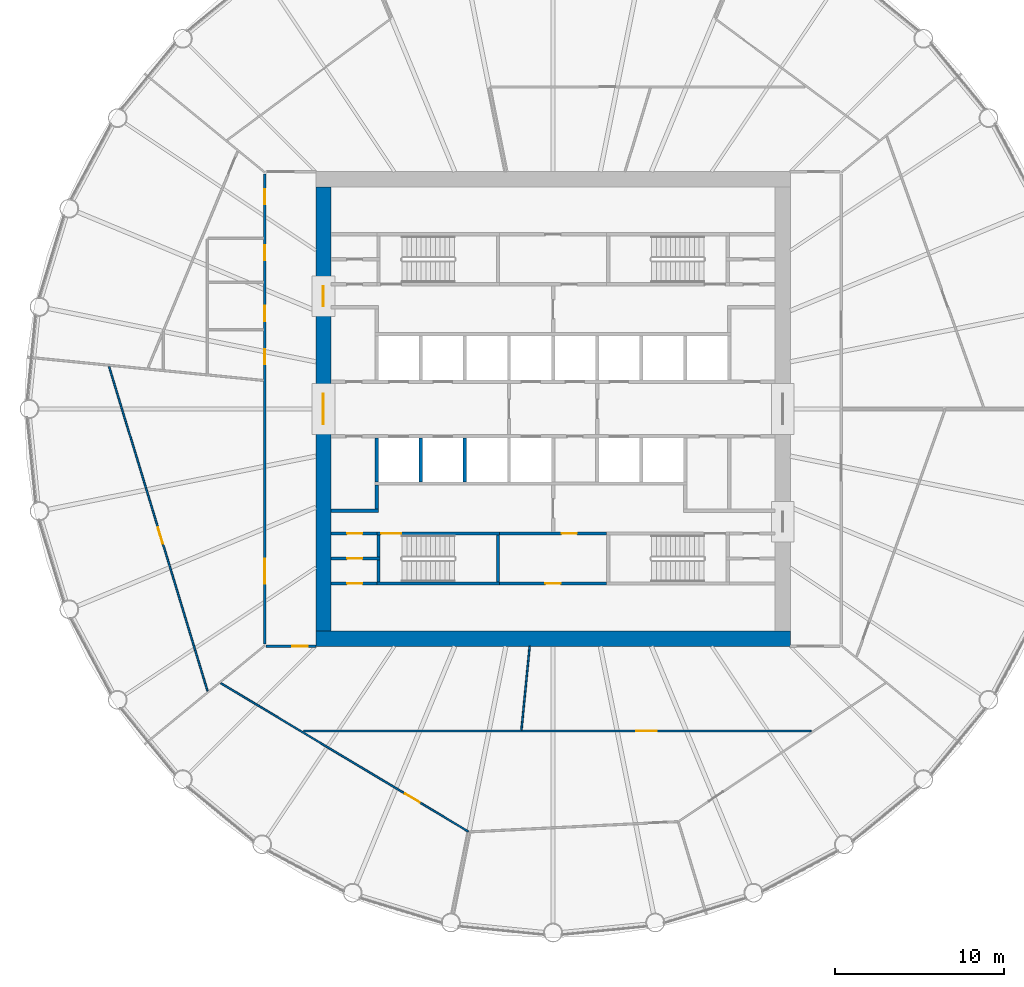
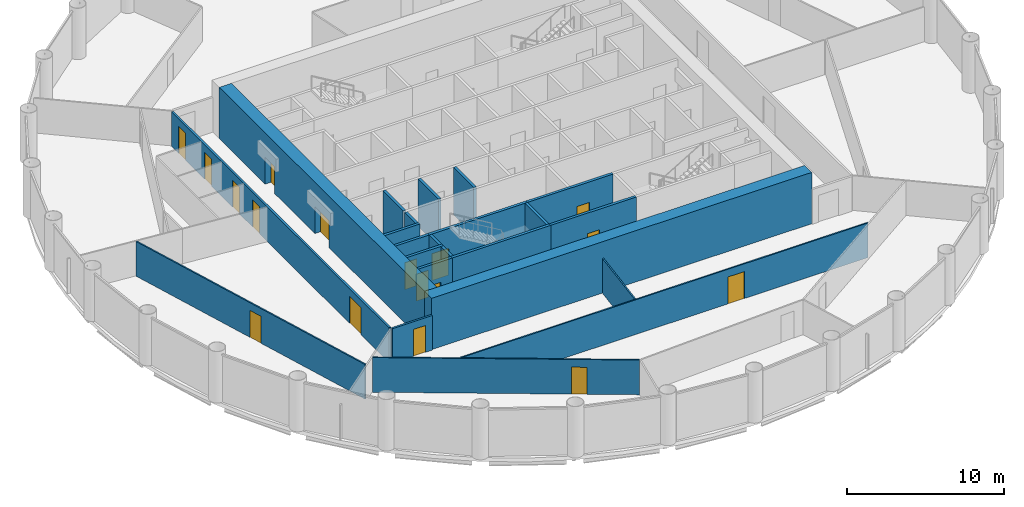
# One storey, part 4 of 9: 23 walls, 17 doors, 17 openings.
"""IFC4 building model written with IfcOpenShell, lengths in metres."""

from ifc_helpers import new_model, si_unit, direction, frame, frame_2d, origin, place, context, subcontext, project, spatial, polyline, rectangle, outline, extrude, material, layer, layer_set, type_object, element, fill, save


model = new_model("IFC4")

# Units and contexts
model_context = context("Model", 3, precision=1e-05, world=origin(), true_north=direction((0.0, 1.0)))
body_context = subcontext(model_context, "Body", "Model", "MODEL_VIEW")
ifc_project = project(units=[si_unit("LENGTHUNIT", "METRE"), si_unit("AREAUNIT", "SQUARE_METRE"), si_unit("VOLUMEUNIT", "CUBIC_METRE"), si_unit("PLANEANGLEUNIT", "RADIAN"), si_unit("MASSUNIT", "GRAM", prefix="KILO")], contexts=[model_context])

# Site, building, storey
site_placement = place(None, origin())
site = spatial("IfcSite", under=ifc_project, at=site_placement, CompositionType="ELEMENT")
building_placement = place(site_placement, origin())
building = spatial("IfcBuilding", under=site, at=building_placement, Name="Corvane Civic Tower", CompositionType="ELEMENT")
storey_placement = place(building_placement, frame((0.0, 0.0, 164.0)))
storey = spatial("IfcBuildingStorey", under=building, at=storey_placement, Name="L38", CompositionType="ELEMENT", Elevation=164.0)

# Wall
ifc_material_1 = material(Name="Concrete C60/75", Category="concrete")
ifc_layer_1 = layer(ifc_material_1, 0.89990234375)
ifc_layer_set_1 = layer_set([ifc_layer_1], Name="Concrete C60/75")
wall_type_1 = type_object("IfcWallType", Name="CORE WALL 900 C60/75", PredefinedType="SHEAR", material=ifc_layer_set_1)
wall_1_placement = place(storey_placement, frame((-14.0, -13.550048828125, 0.0), z_axis=(0.0, 0.0, 1.0), x_axis=(1.0, 0.0, 0.0)))
element("IfcWall", 1, at=wall_1_placement, inside=storey, type_object=wall_type_1, Name="W-L38-core-S", PredefinedType="SHEAR", context=body_context, shape_type="SweptSolid", body=[
    extrude(rectangle(XDim=28.0, YDim=0.89990234375, at=frame_2d((14.0, 0.0))), origin(), (0.0, 0.0, 1.0), 4.0),
])

# Wall, openings, doors
wall_2_placement = place(storey_placement, frame((-13.550048828125, -13.10009765625, 0.0), z_axis=(0.0, 0.0, 1.0), x_axis=(0.0, 1.0, 0.0)))
wall_2 = element("IfcWall", 2, at=wall_2_placement, inside=storey, type_object=wall_type_1, Name="W-L38-core-W", PredefinedType="SHEAR", context=body_context, shape_type="SweptSolid", body=[
    extrude(rectangle(XDim=26.2001953125, YDim=0.89990234375, at=frame_2d((13.10009765625, 0.0))), origin(), (0.0, 0.0, 1.0), 4.0),
])
opening_1_placement = place(wall_2_placement, frame((12.199951171875, 0.0, 0.0)))
opening_1 = element("IfcOpeningElement", 3, at=opening_1_placement, cuts=wall_2, Name="Opening L38.C28", PredefinedType="OPENING", context=body_context, shape_type="SweptSolid", body=[
    extrude(rectangle(XDim=1.800048828125, YDim=2.10009765625, at=frame_2d((0.89990234375, 1.050048828125))), frame((0.0, 0.4599609375, 0.0), z_axis=(0.0, -1.0, 0.0), x_axis=(1.0, 0.0, 0.0)), (0.0, 0.0, 1.0), 0.919921875),
])
opening_2_placement = place(wall_2_placement, frame((19.14990234375, 0.0, 0.0)))
opening_2 = element("IfcOpeningElement", 4, at=opening_2_placement, cuts=wall_2, Name="Opening L38.C30", PredefinedType="OPENING", context=body_context, shape_type="SweptSolid", body=[
    extrude(rectangle(XDim=1.199951171875, YDim=2.10009765625, at=frame_2d((0.60009765625, 1.050048828125))), frame((0.0, 0.4599609375, 0.0), z_axis=(0.0, -1.0, 0.0), x_axis=(1.0, 0.0, 0.0)), (0.0, 0.0, 1.0), 0.919921875),
])
ifc_material_2 = material(Name="Steel fire door leaf", Category="steel")
door_type_1 = type_object("IfcDoorType", Name="CR-DOOR-CORE-1800", OperationType="DOUBLE_DOOR_SINGLE_SWING", PredefinedType="DOOR", material=ifc_material_2)
door_1_placement = place(opening_1_placement, origin())
door_1 = element("IfcDoor", 5, at=door_1_placement, inside=storey, type_object=door_type_1, Name="L38 door", OperationType="DOUBLE_DOOR_SINGLE_SWING", OverallHeight=2.10009765625, OverallWidth=1.800048828125, PredefinedType="DOOR", context=body_context, shape_type="SweptSolid", body=[
    extrude(rectangle(XDim=1.800048828125, YDim=2.10009765625, at=frame_2d((0.89990234375, 1.050048828125))), frame((0.0, 0.02490234375, 0.0), z_axis=(0.0, -1.0, 0.0), x_axis=(1.0, 0.0, 0.0)), (0.0, 0.0, 1.0), 0.050048828125),
])
fill(opening_1, door_1)
door_2_placement = place(opening_2_placement, origin())
door_2 = element("IfcDoor", 6, at=door_2_placement, inside=storey, type_object=door_type_1, Name="L38 door", OperationType="DOUBLE_DOOR_SINGLE_SWING", OverallHeight=2.10009765625, OverallWidth=1.199951171875, PredefinedType="DOOR", context=body_context, shape_type="SweptSolid", body=[
    extrude(rectangle(XDim=1.199951171875, YDim=2.10009765625, at=frame_2d((0.60009765625, 1.050048828125))), frame((0.0, 0.02490234375, 0.0), z_axis=(0.0, -1.0, 0.0), x_axis=(1.0, 0.0, 0.0)), (0.0, 0.0, 1.0), 0.050048828125),
])
fill(opening_2, door_2)

# Wall, opening, door
ifc_material_3 = material(Name="Concrete C30/37", Category="concrete")
ifc_layer_2 = layer(ifc_material_3, 0.199951171875)
ifc_layer_set_2 = layer_set([ifc_layer_2], Name="Concrete C30/37")
wall_type_2 = type_object("IfcWallType", Name="CR-WALL-200", PredefinedType="PARTITIONING", material=ifc_layer_set_2)
wall_3_placement = place(storey_placement, frame((-13.10009765625, -10.300048828125, 0.0), z_axis=(0.0, 0.0, 1.0), x_axis=(1.0, 0.0, 0.0)))
wall_3 = element("IfcWall", 7, at=wall_3_placement, inside=storey, type_object=wall_type_2, Name="L38 partition wall", PredefinedType="PARTITIONING", context=body_context, shape_type="SweptSolid", body=[
    extrude(rectangle(XDim=2.7001953125, YDim=0.199951171875, at=frame_2d((1.35009765625, 0.0))), origin(), (0.0, 0.0, 1.0), 3.699951171875),
])
opening_3_placement = place(wall_3_placement, frame((0.949951171875, 0.0, 0.0)))
opening_3 = element("IfcOpeningElement", 8, at=opening_3_placement, cuts=wall_3, Name="Opening L38.C15", PredefinedType="OPENING", context=body_context, shape_type="SweptSolid", body=[
    extrude(rectangle(XDim=0.89990234375, YDim=2.10009765625, at=frame_2d((0.449951171875, 1.050048828125))), frame((0.0, 0.10986328125, 0.0), z_axis=(0.0, -1.0, 0.0), x_axis=(1.0, 0.0, 0.0)), (0.0, 0.0, 1.0), 0.219970703125),
])
ifc_material_4 = material(Name="Steel fire door leaf", Category="steel")
door_type_2 = type_object("IfcDoorType", Name="CR-DOOR-900", OperationType="SINGLE_SWING_LEFT", PredefinedType="DOOR", material=ifc_material_4)
door_3_placement = place(opening_3_placement, origin())
door_3 = element("IfcDoor", 9, at=door_3_placement, inside=storey, type_object=door_type_2, Name="L38 door", OperationType="SINGLE_SWING_LEFT", OverallHeight=2.10009765625, OverallWidth=0.89990234375, PredefinedType="DOOR", context=body_context, shape_type="SweptSolid", body=[
    extrude(rectangle(XDim=0.89990234375, YDim=2.10009765625, at=frame_2d((0.449951171875, 1.050048828125))), frame((0.0, 0.02490234375, 0.0), z_axis=(0.0, -1.0, 0.0), x_axis=(1.0, 0.0, 0.0)), (0.0, 0.0, 1.0), 0.050048828125),
])
fill(opening_3, door_3)

wall_4_placement = place(storey_placement, frame((-3.14990234375, -10.300048828125, 0.0), z_axis=(0.0, 0.0, 1.0), x_axis=(1.0, 0.0, 0.0)))
wall_4 = element("IfcWall", 10, at=wall_4_placement, inside=storey, type_object=wall_type_2, Name="L38 partition wall", PredefinedType="PARTITIONING", context=body_context, shape_type="SweptSolid", body=[
    extrude(rectangle(XDim=6.2998046875, YDim=0.199951171875, at=frame_2d((3.14990234375, 0.0))), origin(), (0.0, 0.0, 1.0), 3.699951171875),
])
opening_4_placement = place(wall_4_placement, frame((2.699951171875, 0.0, 0.0)))
opening_4 = element("IfcOpeningElement", 11, at=opening_4_placement, cuts=wall_4, Name="Opening L38.C10", PredefinedType="OPENING", context=body_context, shape_type="SweptSolid", body=[
    extrude(rectangle(XDim=0.89990234375, YDim=2.10009765625, at=frame_2d((0.449951171875, 1.050048828125))), frame((0.0, 0.10986328125, 0.0), z_axis=(0.0, -1.0, 0.0), x_axis=(1.0, 0.0, 0.0)), (0.0, 0.0, 1.0), 0.219970703125),
])
door_4_placement = place(opening_4_placement, origin())
door_4 = element("IfcDoor", 12, at=door_4_placement, inside=storey, type_object=door_type_2, Name="L38 door", OperationType="SINGLE_SWING_LEFT", OverallHeight=2.10009765625, OverallWidth=0.89990234375, PredefinedType="DOOR", context=body_context, shape_type="SweptSolid", body=[
    extrude(rectangle(XDim=0.89990234375, YDim=2.10009765625, at=frame_2d((0.449951171875, 1.050048828125))), frame((0.0, 0.02490234375, 0.0), z_axis=(0.0, -1.0, 0.0), x_axis=(1.0, 0.0, 0.0)), (0.0, 0.0, 1.0), 0.050048828125),
])
fill(opening_4, door_4)

wall_5_placement = place(storey_placement, frame((-13.10009765625, -8.824951171875, 0.0), z_axis=(0.0, 0.0, 1.0), x_axis=(1.0, 0.0, 0.0)))
wall_5 = element("IfcWall", 13, at=wall_5_placement, inside=storey, type_object=wall_type_2, Name="L38 partition wall", PredefinedType="PARTITIONING", context=body_context, shape_type="SweptSolid", body=[
    extrude(rectangle(XDim=2.900146484375, YDim=0.199951171875, at=frame_2d((1.4501953125, 0.0))), origin(), (0.0, 0.0, 1.0), 3.699951171875),
])
opening_5_placement = place(wall_5_placement, frame((0.949951171875, 0.0, 0.0)))
opening_5 = element("IfcOpeningElement", 14, at=opening_5_placement, cuts=wall_5, Name="Opening L38.C14", PredefinedType="OPENING", context=body_context, shape_type="SweptSolid", body=[
    extrude(rectangle(XDim=0.89990234375, YDim=2.10009765625, at=frame_2d((0.449951171875, 1.050048828125))), frame((0.0, 0.10986328125, 0.0), z_axis=(0.0, -1.0, 0.0), x_axis=(1.0, 0.0, 0.0)), (0.0, 0.0, 1.0), 0.219970703125),
])
door_5_placement = place(opening_5_placement, origin())
door_5 = element("IfcDoor", 15, at=door_5_placement, inside=storey, type_object=door_type_2, Name="L38 door", OperationType="SINGLE_SWING_LEFT", OverallHeight=2.10009765625, OverallWidth=0.89990234375, PredefinedType="DOOR", context=body_context, shape_type="SweptSolid", body=[
    extrude(rectangle(XDim=0.89990234375, YDim=2.10009765625, at=frame_2d((0.449951171875, 1.050048828125))), frame((0.0, 0.02490234375, 0.0), z_axis=(0.0, -1.0, 0.0), x_axis=(1.0, 0.0, 0.0)), (0.0, 0.0, 1.0), 0.050048828125),
])
fill(opening_5, door_5)

wall_6_placement = place(storey_placement, frame((-13.10009765625, -7.35009765625, 0.0), z_axis=(0.0, 0.0, 1.0), x_axis=(1.0, 0.0, 0.0)))
wall_6 = element("IfcWall", 16, at=wall_6_placement, inside=storey, type_object=wall_type_2, Name="L38 core partition wall", PredefinedType="PARTITIONING", context=body_context, shape_type="SweptSolid", body=[
    extrude(rectangle(XDim=2.7001953125, YDim=0.199951171875, at=frame_2d((1.35009765625, 0.0))), origin(), (0.0, 0.0, 1.0), 3.699951171875),
])
opening_6_placement = place(wall_6_placement, frame((0.949951171875, 0.0, 0.0)))
opening_6 = element("IfcOpeningElement", 17, at=opening_6_placement, cuts=wall_6, Name="Opening L38.C13", PredefinedType="OPENING", context=body_context, shape_type="SweptSolid", body=[
    extrude(rectangle(XDim=0.89990234375, YDim=2.10009765625, at=frame_2d((0.449951171875, 1.050048828125))), frame((0.0, 0.10986328125, 0.0), z_axis=(0.0, -1.0, 0.0), x_axis=(1.0, 0.0, 0.0)), (0.0, 0.0, 1.0), 0.219970703125),
])
door_6_placement = place(opening_6_placement, origin())
door_6 = element("IfcDoor", 18, at=door_6_placement, inside=storey, type_object=door_type_2, Name="L38 door", OperationType="SINGLE_SWING_LEFT", OverallHeight=2.10009765625, OverallWidth=0.89990234375, PredefinedType="DOOR", context=body_context, shape_type="SweptSolid", body=[
    extrude(rectangle(XDim=0.89990234375, YDim=2.10009765625, at=frame_2d((0.449951171875, 1.050048828125))), frame((0.0, 0.02490234375, 0.0), z_axis=(0.0, -1.0, 0.0), x_axis=(1.0, 0.0, 0.0)), (0.0, 0.0, 1.0), 0.050048828125),
])
fill(opening_6, door_6)

wall_7_placement = place(storey_placement, frame((-3.14990234375, -7.35009765625, 0.0), z_axis=(0.0, 0.0, 1.0), x_axis=(1.0, 0.0, 0.0)))
wall_7 = element("IfcWall", 19, at=wall_7_placement, inside=storey, type_object=wall_type_2, Name="L38 partition wall", PredefinedType="PARTITIONING", context=body_context, shape_type="SweptSolid", body=[
    extrude(rectangle(XDim=6.2998046875, YDim=0.199951171875, at=frame_2d((3.14990234375, 0.0))), origin(), (0.0, 0.0, 1.0), 3.699951171875),
])
opening_7_placement = place(wall_7_placement, frame((3.64990234375, 0.0, 0.0)))
opening_7 = element("IfcOpeningElement", 20, at=opening_7_placement, cuts=wall_7, Name="Opening L38.C08", PredefinedType="OPENING", context=body_context, shape_type="SweptSolid", body=[
    extrude(rectangle(XDim=0.89990234375, YDim=2.10009765625, at=frame_2d((0.449951171875, 1.050048828125))), frame((0.0, 0.10986328125, 0.0), z_axis=(0.0, -1.0, 0.0), x_axis=(1.0, 0.0, 0.0)), (0.0, 0.0, 1.0), 0.219970703125),
])
door_7_placement = place(opening_7_placement, origin())
door_7 = element("IfcDoor", 21, at=door_7_placement, inside=storey, type_object=door_type_2, Name="L38 door", OperationType="SINGLE_SWING_LEFT", OverallHeight=2.10009765625, OverallWidth=0.89990234375, PredefinedType="DOOR", context=body_context, shape_type="SweptSolid", body=[
    extrude(rectangle(XDim=0.89990234375, YDim=2.10009765625, at=frame_2d((0.449951171875, 1.050048828125))), frame((0.0, 0.02490234375, 0.0), z_axis=(0.0, -1.0, 0.0), x_axis=(1.0, 0.0, 0.0)), (0.0, 0.0, 1.0), 0.050048828125),
])
fill(opening_7, door_7)

# Walls
wall_8_placement = place(storey_placement, origin())
element("IfcWall", 22, at=wall_8_placement, inside=storey, type_object=wall_type_2, Name="L38 core partition wall", PredefinedType="PARTITIONING", context=body_context, shape_type="SweptSolid", body=[
    extrude(outline(polyline([(-10.300048828125, -6.10009765625), (-13.10009765625, -6.10009765625), (-13.10009765625, -5.89990234375), (-10.300048828125, -5.89990234375), (-10.300048828125, -6.10009765625)])), origin(), (0.0, 0.0, 1.0), 3.699951171875),
])
wall_9_placement = place(storey_placement, origin())
element("IfcWall", 23, at=wall_9_placement, inside=storey, type_object=wall_type_2, Name="L38 core partition wall", PredefinedType="PARTITIONING", context=body_context, shape_type="SweptSolid", body=[
    extrude(outline(polyline([(-10.300048828125, -1.699951171875), (-10.300048828125, -4.2998046875), (-10.5, -4.2998046875), (-10.5, -1.699951171875), (-10.300048828125, -1.699951171875)])), origin(), (0.0, 0.0, 1.0), 3.699951171875),
])
wall_10_placement = place(storey_placement, origin())
element("IfcWall", 24, at=wall_10_placement, inside=storey, type_object=wall_type_2, Name="L38 core partition wall", PredefinedType="PARTITIONING", context=body_context, shape_type="SweptSolid", body=[
    extrude(outline(polyline([(-7.699951171875, -1.699951171875), (-7.699951171875, -4.2998046875), (-7.89990234375, -4.2998046875), (-7.89990234375, -1.699951171875), (-7.699951171875, -1.699951171875)])), origin(), (0.0, 0.0, 1.0), 3.699951171875),
])
wall_11_placement = place(storey_placement, origin())
element("IfcWall", 25, at=wall_11_placement, inside=storey, type_object=wall_type_2, Name="L38 core partition wall", PredefinedType="PARTITIONING", context=body_context, shape_type="SweptSolid", body=[
    extrude(outline(polyline([(-5.10009765625, -1.699951171875), (-5.10009765625, -4.2998046875), (-5.300048828125, -4.2998046875), (-5.300048828125, -1.699951171875), (-5.10009765625, -1.699951171875)])), origin(), (0.0, 0.0, 1.0), 3.699951171875),
])
wall_12_placement = place(storey_placement, origin())
element("IfcWall", 26, at=wall_12_placement, inside=storey, type_object=wall_type_2, Name="L38 core partition wall", PredefinedType="PARTITIONING", context=body_context, shape_type="SweptSolid", body=[
    extrude(outline(polyline([(-10.300048828125, -5.89990234375), (-10.5, -5.89990234375), (-10.5, -4.5), (-10.300048828125, -4.5), (-10.300048828125, -5.89990234375)])), origin(), (0.0, 0.0, 1.0), 3.699951171875),
])

# Wall, opening, door
ifc_material_5 = material(Name="Plasterboard")
ifc_layer_3 = layer(ifc_material_5, 0.10009765625)
ifc_layer_set_3 = layer_set([ifc_layer_3], Name="Plasterboard")
wall_type_3 = type_object("IfcWallType", Name="Partition 100 plasterboard on studs", PredefinedType="PARTITIONING", material=ifc_layer_set_3)
wall_13_placement = place(storey_placement, frame((-19.60693359375, -16.177490234375, 0.0), z_axis=(0.0, 0.0, 1.0), x_axis=(0.857726754519, -0.514105839865, 0.0)))
wall_13 = element("IfcWall", 27, at=wall_13_placement, inside=storey, type_object=wall_type_3, Name="Partition L38.004", PredefinedType="PARTITIONING", context=body_context, shape_type="SweptSolid", body=[
    extrude(rectangle(XDim=17.036865234375, YDim=0.10009765625, at=frame_2d((8.5185546875, 0.0))), origin(), (0.0, 0.0, 1.0), 2.699951171875),
])
opening_8_placement = place(wall_13_placement, frame((12.6875, 0.0, 0.0)))
opening_8 = element("IfcOpeningElement", 28, at=opening_8_placement, cuts=wall_13, Name="Opening L38.008", PredefinedType="OPENING", context=body_context, shape_type="SweptSolid", body=[
    extrude(rectangle(XDim=1.0, YDim=2.10009765625, at=frame_2d((0.5, 1.050048828125))), frame((0.0, 0.06005859375, 0.0), z_axis=(0.0, -1.0, 0.0), x_axis=(1.0, 0.0, 0.0)), (0.0, 0.0, 1.0), 0.1201171875),
])
ifc_material_6 = material(Name="Timber", Category="wood")
door_type_3 = type_object("IfcDoorType", Name="Single door 1000", OperationType="NOTDEFINED", PredefinedType="DOOR", material=ifc_material_6)
door_8_placement = place(opening_8_placement, frame((1.0, 0.0, 0.0), z_axis=(0.0, 0.0, 1.0), x_axis=(-1.0, 0.0, 0.0)))
door_8 = element("IfcDoor", 29, at=door_8_placement, inside=storey, type_object=door_type_3, Name="Door L38.008", OperationType="SINGLE_SWING_LEFT", OverallHeight=2.10009765625, OverallWidth=1.0, PredefinedType="DOOR", context=body_context, shape_type="SweptSolid", body=[
    extrude(rectangle(XDim=1.0, YDim=2.10009765625, at=frame_2d((0.5, 1.050048828125))), frame((0.0, 0.02490234375, 0.0), z_axis=(0.0, -1.0, 0.0), x_axis=(1.0, 0.0, 0.0)), (0.0, 0.0, 1.0), 0.050048828125),
])
fill(opening_8, door_8)

wall_14_placement = place(storey_placement, frame((-14.71728515625, -19.0, 0.0), z_axis=(0.0, 0.0, 1.0), x_axis=(1.0, 0.0, 0.0)))
wall_14 = element("IfcWall", 30, at=wall_14_placement, inside=storey, type_object=wall_type_3, Name="Partition L38.008", PredefinedType="PARTITIONING", context=body_context, shape_type="SweptSolid", body=[
    extrude(rectangle(XDim=29.941650390625, YDim=0.10009765625, at=frame_2d((14.970703125, 0.0))), origin(), (0.0, 0.0, 1.0), 2.699951171875),
])
opening_9_placement = place(wall_14_placement, frame((19.639404296875, 0.0, 0.0)))
opening_9 = element("IfcOpeningElement", 31, at=opening_9_placement, cuts=wall_14, Name="Opening L38.009", PredefinedType="OPENING", context=body_context, shape_type="SweptSolid", body=[
    extrude(rectangle(XDim=1.199951171875, YDim=2.10009765625, at=frame_2d((0.60009765625, 1.050048828125))), frame((0.0, 0.06005859375, 0.0), z_axis=(0.0, -1.0, 0.0), x_axis=(1.0, 0.0, 0.0)), (0.0, 0.0, 1.0), 0.1201171875),
])
ifc_material_7 = material(Name="Timber", Category="wood")
door_type_4 = type_object("IfcDoorType", Name="Double door 1200", OperationType="NOTDEFINED", PredefinedType="DOOR", material=ifc_material_7)
door_9_placement = place(opening_9_placement, frame((1.199951171875, 0.0, 0.0), z_axis=(0.0, 0.0, 1.0), x_axis=(-1.0, 0.0, 0.0)))
door_9 = element("IfcDoor", 32, at=door_9_placement, inside=storey, type_object=door_type_4, Name="Door L38.009", OperationType="DOUBLE_DOOR_SINGLE_SWING", OverallHeight=2.10009765625, OverallWidth=1.199951171875, PredefinedType="DOOR", context=body_context, shape_type="SweptSolid", body=[
    extrude(rectangle(XDim=1.199951171875, YDim=2.10009765625, at=frame_2d((0.60009765625, 1.050048828125))), frame((0.0, 0.02490234375, 0.0), z_axis=(0.0, -1.0, 0.0), x_axis=(1.0, 0.0, 0.0)), (0.0, 0.0, 1.0), 0.050048828125),
])
fill(opening_9, door_9)

# Wall
wall_15_placement = place(storey_placement, frame((-1.865966796875, -18.945068359375, 0.0), z_axis=(0.0, 0.0, 1.0), x_axis=(0.098019895744, 0.995184455284, 0.0)))
element("IfcWall", 33, at=wall_15_placement, inside=storey, type_object=wall_type_3, Name="Partition L38.009", PredefinedType="PARTITIONING", context=body_context, shape_type="SweptSolid", body=[
    extrude(rectangle(XDim=4.968994140625, YDim=0.10009765625, at=frame_2d((2.484375, 0.0))), origin(), (0.0, 0.0, 1.0), 2.699951171875),
])

# Wall, opening, door
wall_16_placement = place(storey_placement, frame((-26.19580078125, 2.510498046875, 0.0), z_axis=(0.0, 0.0, 1.0), x_axis=(0.290284335473, -0.95694043941, 0.0)))
wall_16 = element("IfcWall", 34, at=wall_16_placement, inside=storey, type_object=wall_type_3, Name="Partition L38.010", PredefinedType="PARTITIONING", context=body_context, shape_type="SweptSolid", body=[
    extrude(rectangle(XDim=20.013427734375, YDim=0.10009765625, at=frame_2d((10.0068359375, 0.0))), origin(), (0.0, 0.0, 1.0), 2.699951171875),
])
opening_10_placement = place(wall_16_placement, frame((9.93359375, 0.0, 0.0)))
opening_10 = element("IfcOpeningElement", 35, at=opening_10_placement, cuts=wall_16, Name="Opening L38.016", PredefinedType="OPENING", context=body_context, shape_type="SweptSolid", body=[
    extrude(rectangle(XDim=1.0, YDim=2.10009765625, at=frame_2d((0.5, 1.050048828125))), frame((0.0, 0.06005859375, 0.0), z_axis=(0.0, -1.0, 0.0), x_axis=(1.0, 0.0, 0.0)), (0.0, 0.0, 1.0), 0.1201171875),
])
door_10_placement = place(opening_10_placement, frame((1.0, 0.0, 0.0), z_axis=(0.0, 0.0, 1.0), x_axis=(-1.0, 0.0, 0.0)))
door_10 = element("IfcDoor", 36, at=door_10_placement, inside=storey, type_object=door_type_3, Name="Door L38.016", OperationType="SINGLE_SWING_RIGHT", OverallHeight=2.10009765625, OverallWidth=1.0, PredefinedType="DOOR", context=body_context, shape_type="SweptSolid", body=[
    extrude(rectangle(XDim=1.0, YDim=2.10009765625, at=frame_2d((0.5, 1.050048828125))), frame((0.0, 0.02490234375, 0.0), z_axis=(0.0, -1.0, 0.0), x_axis=(1.0, 0.0, 0.0)), (0.0, 0.0, 1.0), 0.050048828125),
])
fill(opening_10, door_10)

ifc_material_8 = material(Name="Concrete C50/60", Category="concrete")
ifc_layer_4 = layer(ifc_material_8, 0.199951171875)
ifc_layer_set_4 = layer_set([ifc_layer_4], Name="Concrete C50/60")
wall_type_4 = type_object("IfcWallType", Name="ST-WALL-200", PredefinedType="SHEAR", material=ifc_layer_set_4)
wall_17_placement = place(storey_placement, frame((-10.39990234375, -7.35009765625, 0.0), z_axis=(0.0, 0.0, 1.0), x_axis=(1.0, 0.0, 0.0)))
wall_17 = element("IfcWall", 37, at=wall_17_placement, inside=storey, type_object=wall_type_4, Name="L38 stair enclosure wall", PredefinedType="SHEAR", context=body_context, shape_type="SweptSolid", body=[
    extrude(rectangle(XDim=7.25, YDim=0.199951171875, at=frame_2d((3.625, 0.0))), origin(), (0.0, 0.0, 1.0), 3.699951171875),
])
opening_11_placement = place(wall_17_placement, frame((0.25, 0.0, 0.0)))
opening_11 = element("IfcOpeningElement", 38, at=opening_11_placement, cuts=wall_17, Name="Opening L38.C23", PredefinedType="OPENING", context=body_context, shape_type="SweptSolid", body=[
    extrude(rectangle(XDim=1.199951171875, YDim=2.10009765625, at=frame_2d((0.60009765625, 1.050048828125))), frame((0.0, 0.10986328125, 0.0), z_axis=(0.0, -1.0, 0.0), x_axis=(1.0, 0.0, 0.0)), (0.0, 0.0, 1.0), 0.219970703125),
])
ifc_material_9 = material(Name="Steel fire door leaf", Category="steel")
door_type_5 = type_object("IfcDoorType", Name="ST-DOOR-1200", OperationType="SINGLE_SWING_RIGHT", PredefinedType="DOOR", material=ifc_material_9)
door_11_placement = place(opening_11_placement, origin())
door_11 = element("IfcDoor", 39, at=door_11_placement, inside=storey, type_object=door_type_5, Name="L38 stair door", OperationType="SINGLE_SWING_RIGHT", OverallHeight=2.10009765625, OverallWidth=1.199951171875, PredefinedType="DOOR", context=body_context, shape_type="SweptSolid", body=[
    extrude(rectangle(XDim=1.199951171875, YDim=2.10009765625, at=frame_2d((0.60009765625, 1.050048828125))), frame((0.0, 0.02490234375, 0.0), z_axis=(0.0, -1.0, 0.0), x_axis=(1.0, 0.0, 0.0)), (0.0, 0.0, 1.0), 0.050048828125),
])
fill(opening_11, door_11)

# Walls
wall_18_placement = place(storey_placement, origin())
element("IfcWall", 40, at=wall_18_placement, inside=storey, type_object=wall_type_4, Name="L38 stair enclosure wall", PredefinedType="SHEAR", context=body_context, shape_type="SweptSolid", body=[
    extrude(outline(polyline([(-3.14990234375, -10.199951171875), (-3.14990234375, -10.39990234375), (-10.39990234375, -10.39990234375), (-10.39990234375, -10.199951171875), (-3.14990234375, -10.199951171875)])), origin(), (0.0, 0.0, 1.0), 3.699951171875),
])
wall_19_placement = place(storey_placement, origin())
element("IfcWall", 41, at=wall_19_placement, inside=storey, type_object=wall_type_4, Name="L38 stair enclosure wall", PredefinedType="SHEAR", context=body_context, shape_type="SweptSolid", body=[
    extrude(outline(polyline([(-3.14990234375, -7.449951171875), (-3.14990234375, -10.199951171875), (-3.35009765625, -10.199951171875), (-3.35009765625, -7.449951171875), (-3.14990234375, -7.449951171875)])), origin(), (0.0, 0.0, 1.0), 3.699951171875),
])
wall_20_placement = place(storey_placement, origin())
element("IfcWall", 42, at=wall_20_placement, inside=storey, type_object=wall_type_4, Name="L38 stair enclosure wall", PredefinedType="SHEAR", context=body_context, shape_type="SweptSolid", body=[
    extrude(outline(polyline([(-10.199951171875, -7.449951171875), (-10.199951171875, -8.72509765625), (-10.39990234375, -8.72509765625), (-10.39990234375, -7.449951171875), (-10.199951171875, -7.449951171875)])), origin(), (0.0, 0.0, 1.0), 3.699951171875),
])
wall_21_placement = place(storey_placement, origin())
element("IfcWall", 43, at=wall_21_placement, inside=storey, type_object=wall_type_4, Name="L38 stair enclosure wall", PredefinedType="SHEAR", context=body_context, shape_type="SweptSolid", body=[
    extrude(outline(polyline([(-10.199951171875, -8.925048828125), (-10.199951171875, -10.199951171875), (-10.39990234375, -10.199951171875), (-10.39990234375, -8.925048828125), (-10.199951171875, -8.925048828125)])), origin(), (0.0, 0.0, 1.0), 3.699951171875),
])

# Wall, opening, door
ifc_material_10 = material(Name="Plasterboard")
ifc_layer_5 = layer(ifc_material_10, 0.14990234375)
ifc_layer_set_5 = layer_set([ifc_layer_5], Name="Plasterboard")
wall_type_5 = type_object("IfcWallType", Name="Tenancy wall 150 EI 60", PredefinedType="PARTITIONING", material=ifc_layer_set_5)
wall_22_placement = place(storey_placement, frame((-16.925048828125, -14.0, 0.0), z_axis=(0.0, 0.0, 1.0), x_axis=(1.0, 0.0, 0.0)))
wall_22 = element("IfcWall", 44, at=wall_22_placement, inside=storey, type_object=wall_type_5, Name="Partition L38.012", PredefinedType="PARTITIONING", context=body_context, shape_type="SweptSolid", body=[
    extrude(rectangle(XDim=2.93505859375, YDim=0.14990234375, at=frame_2d((1.467529296875, 0.0))), origin(), (0.0, 0.0, 1.0), 2.699951171875),
])
opening_12_placement = place(wall_22_placement, frame((1.5419921875, 0.0, 0.0)))
opening_12 = element("IfcOpeningElement", 45, at=opening_12_placement, cuts=wall_22, Name="Opening L38.011", PredefinedType="OPENING", context=body_context, shape_type="SweptSolid", body=[
    extrude(rectangle(XDim=0.89990234375, YDim=2.10009765625, at=frame_2d((0.449951171875, 1.050048828125))), frame((0.0, 0.0849609375, 0.0), z_axis=(0.0, -1.0, 0.0), x_axis=(1.0, 0.0, 0.0)), (0.0, 0.0, 1.0), 0.169921875),
])
ifc_material_11 = material(Name="Steel and timber", Category="steel")
door_type_6 = type_object("IfcDoorType", Name="Fire door FD30S 900", OperationType="NOTDEFINED", PredefinedType="DOOR", material=ifc_material_11)
door_12_placement = place(opening_12_placement, frame((0.89990234375, 0.0, 0.0), z_axis=(0.0, 0.0, 1.0), x_axis=(-1.0, 0.0, 0.0)))
door_12 = element("IfcDoor", 46, at=door_12_placement, inside=storey, type_object=door_type_6, Name="Door L38.011", OperationType="SINGLE_SWING_LEFT", OverallHeight=2.10009765625, OverallWidth=0.89990234375, PredefinedType="DOOR", context=body_context, shape_type="SweptSolid", body=[
    extrude(rectangle(XDim=0.89990234375, YDim=2.10009765625, at=frame_2d((0.449951171875, 1.050048828125))), frame((0.0, 0.02490234375, 0.0), z_axis=(0.0, -1.0, 0.0), x_axis=(1.0, 0.0, 0.0)), (0.0, 0.0, 1.0), 0.050048828125),
])
fill(opening_12, door_12)

# Wall, openings, doors
wall_23_placement = place(storey_placement, frame((-17.0, -13.87646484375, 0.0), z_axis=(0.0, 0.0, 1.0), x_axis=(0.0, 1.0, 0.0)))
wall_23 = element("IfcWall", 47, at=wall_23_placement, inside=storey, type_object=wall_type_5, Name="Partition L38.014", PredefinedType="PARTITIONING", context=body_context, shape_type="SweptSolid", body=[
    extrude(rectangle(XDim=27.7529296875, YDim=0.14990234375, at=frame_2d((13.87646484375, 0.0))), origin(), (0.0, 0.0, 1.0), 2.699951171875),
])
opening_13_placement = place(wall_23_placement, frame((3.552001953125, 0.0, 0.0)))
opening_13 = element("IfcOpeningElement", 48, at=opening_13_placement, cuts=wall_23, Name="Opening L38.017", PredefinedType="OPENING", context=body_context, shape_type="SweptSolid", body=[
    extrude(rectangle(XDim=1.5, YDim=2.10009765625, at=frame_2d((0.75, 1.050048828125))), frame((0.0, 0.0849609375, 0.0), z_axis=(0.0, -1.0, 0.0), x_axis=(1.0, 0.0, 0.0)), (0.0, 0.0, 1.0), 0.169921875),
])
opening_14_placement = place(wall_23_placement, frame((25.9453125, 0.0, 0.0)))
opening_14 = element("IfcOpeningElement", 49, at=opening_14_placement, cuts=wall_23, Name="Opening L38.019", PredefinedType="OPENING", context=body_context, shape_type="SweptSolid", body=[
    extrude(rectangle(XDim=0.89990234375, YDim=2.10009765625, at=frame_2d((0.449951171875, 1.050048828125))), frame((0.0, 0.0849609375, 0.0), z_axis=(0.0, -1.0, 0.0), x_axis=(1.0, 0.0, 0.0)), (0.0, 0.0, 1.0), 0.169921875),
])
opening_15_placement = place(wall_23_placement, frame((16.508056640625, 0.0, 0.0)))
opening_15 = element("IfcOpeningElement", 50, at=opening_15_placement, cuts=wall_23, Name="Opening L38.020", PredefinedType="OPENING", context=body_context, shape_type="SweptSolid", body=[
    extrude(rectangle(XDim=0.89990234375, YDim=2.10009765625, at=frame_2d((0.449951171875, 1.050048828125))), frame((0.0, 0.0849609375, 0.0), z_axis=(0.0, -1.0, 0.0), x_axis=(1.0, 0.0, 0.0)), (0.0, 0.0, 1.0), 0.169921875),
])
opening_16_placement = place(wall_23_placement, frame((19.0625, 0.0, 0.0)))
opening_16 = element("IfcOpeningElement", 51, at=opening_16_placement, cuts=wall_23, Name="Opening L38.021", PredefinedType="OPENING", context=body_context, shape_type="SweptSolid", body=[
    extrude(rectangle(XDim=0.89990234375, YDim=2.10009765625, at=frame_2d((0.449951171875, 1.050048828125))), frame((0.0, 0.0849609375, 0.0), z_axis=(0.0, -1.0, 0.0), x_axis=(1.0, 0.0, 0.0)), (0.0, 0.0, 1.0), 0.169921875),
])
opening_17_placement = place(wall_23_placement, frame((22.6455078125, 0.0, 0.0)))
opening_17 = element("IfcOpeningElement", 52, at=opening_17_placement, cuts=wall_23, Name="Opening L38.022", PredefinedType="OPENING", context=body_context, shape_type="SweptSolid", body=[
    extrude(rectangle(XDim=0.89990234375, YDim=2.10009765625, at=frame_2d((0.449951171875, 1.050048828125))), frame((0.0, 0.0849609375, 0.0), z_axis=(0.0, -1.0, 0.0), x_axis=(1.0, 0.0, 0.0)), (0.0, 0.0, 1.0), 0.169921875),
])
door_13_placement = place(opening_14_placement, origin())
door_13 = element("IfcDoor", 53, at=door_13_placement, inside=storey, type_object=door_type_6, Name="Door L38.019", OperationType="SINGLE_SWING_RIGHT", OverallHeight=2.10009765625, OverallWidth=0.89990234375, PredefinedType="DOOR", context=body_context, shape_type="SweptSolid", body=[
    extrude(rectangle(XDim=0.89990234375, YDim=2.10009765625, at=frame_2d((0.449951171875, 1.050048828125))), frame((0.0, 0.02490234375, 0.0), z_axis=(0.0, -1.0, 0.0), x_axis=(1.0, 0.0, 0.0)), (0.0, 0.0, 1.0), 0.050048828125),
])
fill(opening_14, door_13)
door_14_placement = place(opening_15_placement, origin())
door_14 = element("IfcDoor", 54, at=door_14_placement, inside=storey, type_object=door_type_6, Name="Door L38.020", OperationType="SINGLE_SWING_LEFT", OverallHeight=2.10009765625, OverallWidth=0.89990234375, PredefinedType="DOOR", context=body_context, shape_type="SweptSolid", body=[
    extrude(rectangle(XDim=0.89990234375, YDim=2.10009765625, at=frame_2d((0.449951171875, 1.050048828125))), frame((0.0, 0.02490234375, 0.0), z_axis=(0.0, -1.0, 0.0), x_axis=(1.0, 0.0, 0.0)), (0.0, 0.0, 1.0), 0.050048828125),
])
fill(opening_15, door_14)
door_15_placement = place(opening_16_placement, origin())
door_15 = element("IfcDoor", 55, at=door_15_placement, inside=storey, type_object=door_type_6, Name="Door L38.021", OperationType="SINGLE_SWING_LEFT", OverallHeight=2.10009765625, OverallWidth=0.89990234375, PredefinedType="DOOR", context=body_context, shape_type="SweptSolid", body=[
    extrude(rectangle(XDim=0.89990234375, YDim=2.10009765625, at=frame_2d((0.449951171875, 1.050048828125))), frame((0.0, 0.02490234375, 0.0), z_axis=(0.0, -1.0, 0.0), x_axis=(1.0, 0.0, 0.0)), (0.0, 0.0, 1.0), 0.050048828125),
])
fill(opening_16, door_15)
door_16_placement = place(opening_17_placement, origin())
door_16 = element("IfcDoor", 56, at=door_16_placement, inside=storey, type_object=door_type_6, Name="Door L38.022", OperationType="SINGLE_SWING_RIGHT", OverallHeight=2.10009765625, OverallWidth=0.89990234375, PredefinedType="DOOR", context=body_context, shape_type="SweptSolid", body=[
    extrude(rectangle(XDim=0.89990234375, YDim=2.10009765625, at=frame_2d((0.449951171875, 1.050048828125))), frame((0.0, 0.02490234375, 0.0), z_axis=(0.0, -1.0, 0.0), x_axis=(1.0, 0.0, 0.0)), (0.0, 0.0, 1.0), 0.050048828125),
])
fill(opening_17, door_16)
ifc_material_12 = material(Name="Steel and timber", Category="steel")
door_type_7 = type_object("IfcDoorType", Name="Fire door FD60 double 1500", OperationType="NOTDEFINED", PredefinedType="DOOR", material=ifc_material_12)
door_17_placement = place(opening_13_placement, origin())
door_17 = element("IfcDoor", 57, at=door_17_placement, inside=storey, type_object=door_type_7, Name="Door L38.017", OperationType="DOUBLE_DOOR_SINGLE_SWING", OverallHeight=2.10009765625, OverallWidth=1.5, PredefinedType="DOOR", context=body_context, shape_type="SweptSolid", body=[
    extrude(rectangle(XDim=1.5, YDim=2.10009765625, at=frame_2d((0.75, 1.050048828125))), frame((0.0, 0.02490234375, 0.0), z_axis=(0.0, -1.0, 0.0), x_axis=(1.0, 0.0, 0.0)), (0.0, 0.0, 1.0), 0.050048828125),
])
fill(opening_13, door_17)

save(model, "model.ifc")
